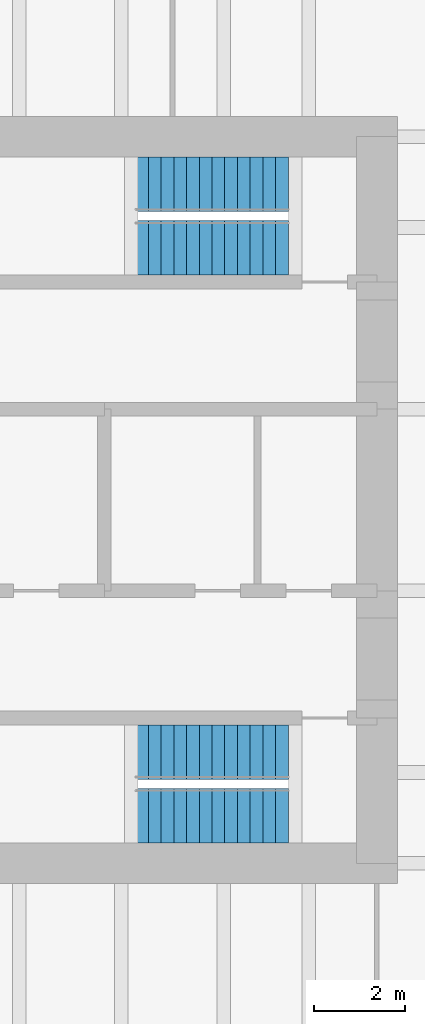
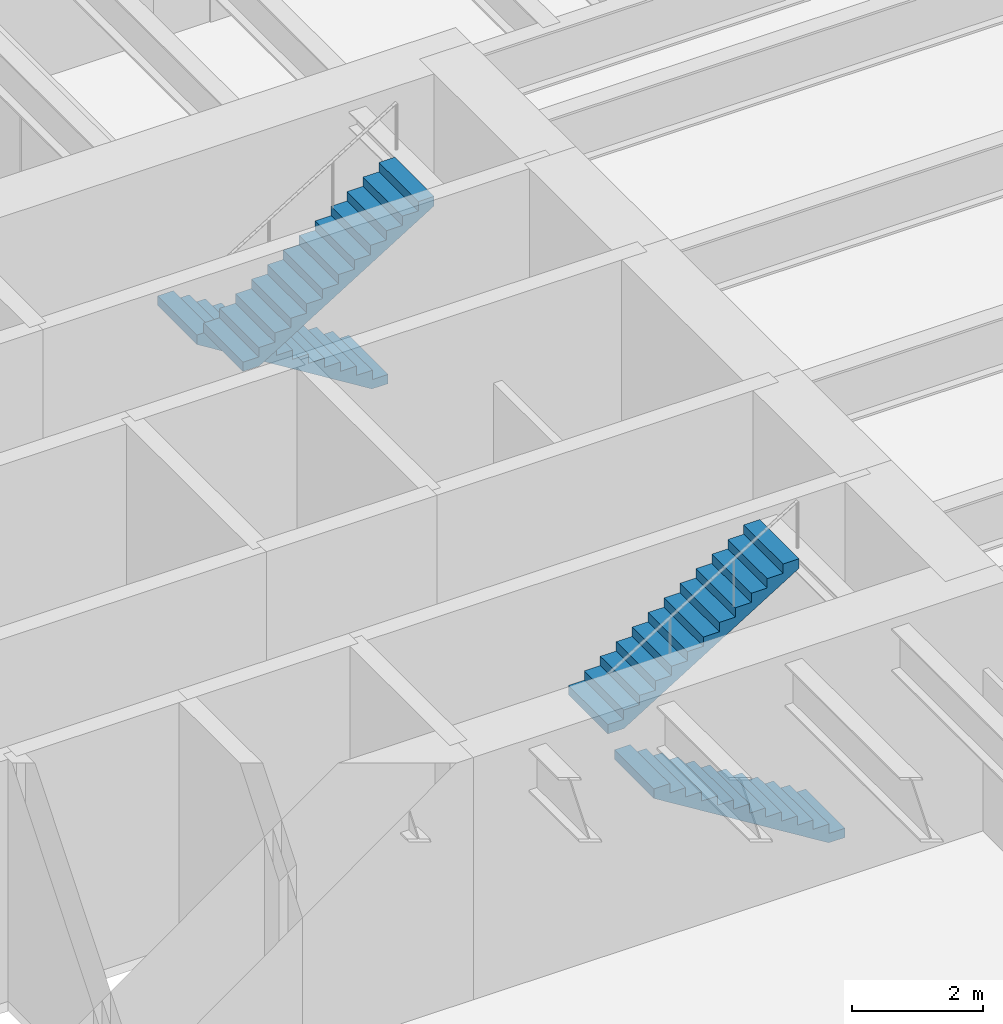
# One storey, part 14 of 15: 4 stair flights, 2 elements without a shape of their own.
"""IFC4 building model written with IfcOpenShell, lengths in metres."""

from ifc_helpers import new_model, si_unit, direction, frame, origin, place, context, subcontext, project, spatial, polyline, outline, extrude, material, type_object, element, aggregate, save


model = new_model("IFC4")

# Units and contexts
model_context = context("Model", 3, precision=1e-05, world=origin(), true_north=direction((0.0, 1.0)))
body_context = subcontext(model_context, "Body", "Model", "MODEL_VIEW")
ifc_project = project(units=[si_unit("LENGTHUNIT", "METRE"), si_unit("AREAUNIT", "SQUARE_METRE"), si_unit("VOLUMEUNIT", "CUBIC_METRE"), si_unit("PLANEANGLEUNIT", "RADIAN"), si_unit("MASSUNIT", "GRAM", prefix="KILO")], contexts=[model_context])

# Site, building, storey
site_placement = place(None, origin())
site = spatial("IfcSite", under=ifc_project, at=site_placement, CompositionType="ELEMENT")
building_placement = place(site_placement, origin())
building = spatial("IfcBuilding", under=site, at=building_placement, Name="Rheinbord Bourse Tower", CompositionType="ELEMENT")
storey_placement = place(building_placement, frame((0.0, 0.0, 23.0)))
storey = spatial("IfcBuildingStorey", under=building, at=storey_placement, Name="L04", CompositionType="ELEMENT", Elevation=23.0)

# Stair, stair flights
ifc_material_1 = material(Name="Concrete C30/37", Category="concrete")
stair_type = type_object("IfcStairType", Name="CORE STAIR HALF TURN 4500", PredefinedType="HALF_TURN_STAIR", material=ifc_material_1)
stair_1_placement = place(storey_placement, origin())
stair_1 = element("IfcStair", 1, at=stair_1_placement, inside=storey, type_object=stair_type, Name="Stair ST3 L04, type CS4", PredefinedType="HALF_TURN_STAIR")
ifc_material_2 = material(Name="Concrete C30/37", Category="concrete")
stair_flight_type = type_object("IfcStairFlightType", Name="CORE STAIR FLIGHT 1200, 13 RISERS", PredefinedType="STRAIGHT", material=ifc_material_2)
stair_flight_1_placement = place(storey_placement, frame((52.050048828125, 17.050048828125, 0.0), z_axis=(0.0, 0.0, 1.0), x_axis=(-1.0, 0.0, 0.0)))
stair_flight_1 = element("IfcStairFlight", 2, at=stair_flight_1_placement, type_object=stair_flight_type, Name="STAIR L04 ST3 F1", NumberOfRisers=13, NumberOfTreads=12, PredefinedType="STRAIGHT", RiserHeight=0.173076923, TreadLength=0.28, context=body_context, shape_type="SweptSolid", body=[
    extrude(outline(polyline([(0.0, 0.0), (0.0, 0.173095703125), (0.280029296875, 0.173095703125), (0.280029296875, 0.34619140625), (0.56005859375, 0.34619140625), (0.56005859375, 0.519287109375), (0.840087890625, 0.519287109375), (0.840087890625, 0.6923828125), (1.1201171875, 0.6923828125), (1.1201171875, 0.865478515625), (1.39990234375, 0.865478515625), (1.39990234375, 1.03857421875), (1.679931640625, 1.03857421875), (1.679931640625, 1.21142578125), (1.9599609375, 1.21142578125), (1.9599609375, 1.384521484375), (2.239990234375, 1.384521484375), (2.239990234375, 1.5576171875), (2.52001953125, 1.5576171875), (2.52001953125, 1.730712890625), (2.800048828125, 1.730712890625), (2.800048828125, 1.90380859375), (3.080078125, 1.90380859375), (3.080078125, 2.076904296875), (3.360107421875, 2.076904296875), (3.360107421875, 2.25), (3.360107421875, 1.900634765625), (0.28515625, 0.0), (0.0, 0.0)])), frame((0.0, 0.60009765625, 0.0), z_axis=(0.0, -1.0, 0.0), x_axis=(1.0, 0.0, 0.0)), (0.0, 0.0, 1.0), 1.199951171875),
])
stair_flight_2_placement = place(storey_placement, frame((48.68994140625, 18.449951171875, 2.25), z_axis=(0.0, 0.0, 1.0), x_axis=(1.0, 0.0, 0.0)))
stair_flight_2 = element("IfcStairFlight", 3, at=stair_flight_2_placement, type_object=stair_flight_type, Name="STAIR L04 ST3 F2", NumberOfRisers=13, NumberOfTreads=12, PredefinedType="STRAIGHT", RiserHeight=0.173076923, TreadLength=0.28, context=body_context, shape_type="SweptSolid", body=[
    extrude(outline(polyline([(0.0, 0.0), (0.0, 0.173095703125), (0.280029296875, 0.173095703125), (0.280029296875, 0.34619140625), (0.56005859375, 0.34619140625), (0.56005859375, 0.519287109375), (0.840087890625, 0.519287109375), (0.840087890625, 0.6923828125), (1.1201171875, 0.6923828125), (1.1201171875, 0.865478515625), (1.39990234375, 0.865478515625), (1.39990234375, 1.03857421875), (1.679931640625, 1.03857421875), (1.679931640625, 1.21142578125), (1.9599609375, 1.21142578125), (1.9599609375, 1.384521484375), (2.239990234375, 1.384521484375), (2.239990234375, 1.5576171875), (2.52001953125, 1.5576171875), (2.52001953125, 1.730712890625), (2.800048828125, 1.730712890625), (2.800048828125, 1.90380859375), (3.080078125, 1.90380859375), (3.080078125, 2.076904296875), (3.360107421875, 2.076904296875), (3.360107421875, 2.25), (3.360107421875, 1.900634765625), (0.28515625, 0.0), (0.0, 0.0)])), frame((0.0, 0.60009765625, 0.0), z_axis=(0.0, -1.0, 0.0), x_axis=(1.0, 0.0, 0.0)), (0.0, 0.0, 1.0), 1.199951171875),
])
aggregate(stair_1, [stair_flight_1, stair_flight_2])

stair_2_placement = place(storey_placement, origin())
stair_2 = element("IfcStair", 4, at=stair_2_placement, inside=storey, type_object=stair_type, Name="Stair ST4 L04, type CS4", PredefinedType="HALF_TURN_STAIR")
stair_flight_3_placement = place(storey_placement, frame((52.050048828125, 30.949951171875, 0.0), z_axis=(0.0, 0.0, 1.0), x_axis=(-1.0, 0.0, 0.0)))
stair_flight_3 = element("IfcStairFlight", 5, at=stair_flight_3_placement, type_object=stair_flight_type, Name="STAIR L04 ST4 F1", NumberOfRisers=13, NumberOfTreads=12, PredefinedType="STRAIGHT", RiserHeight=0.173076923, TreadLength=0.28, context=body_context, shape_type="SweptSolid", body=[
    extrude(outline(polyline([(0.0, 0.0), (0.0, 0.173095703125), (0.280029296875, 0.173095703125), (0.280029296875, 0.34619140625), (0.56005859375, 0.34619140625), (0.56005859375, 0.519287109375), (0.840087890625, 0.519287109375), (0.840087890625, 0.6923828125), (1.1201171875, 0.6923828125), (1.1201171875, 0.865478515625), (1.39990234375, 0.865478515625), (1.39990234375, 1.03857421875), (1.679931640625, 1.03857421875), (1.679931640625, 1.21142578125), (1.9599609375, 1.21142578125), (1.9599609375, 1.384521484375), (2.239990234375, 1.384521484375), (2.239990234375, 1.5576171875), (2.52001953125, 1.5576171875), (2.52001953125, 1.730712890625), (2.800048828125, 1.730712890625), (2.800048828125, 1.90380859375), (3.080078125, 1.90380859375), (3.080078125, 2.076904296875), (3.360107421875, 2.076904296875), (3.360107421875, 2.25), (3.360107421875, 1.900634765625), (0.28515625, 0.0), (0.0, 0.0)])), frame((0.0, 0.60009765625, 0.0), z_axis=(0.0, -1.0, 0.0), x_axis=(1.0, 0.0, 0.0)), (0.0, 0.0, 1.0), 1.199951171875),
])
stair_flight_4_placement = place(storey_placement, frame((48.68994140625, 29.550048828125, 2.25), z_axis=(0.0, 0.0, 1.0), x_axis=(1.0, 0.0, 0.0)))
stair_flight_4 = element("IfcStairFlight", 6, at=stair_flight_4_placement, type_object=stair_flight_type, Name="STAIR L04 ST4 F2", NumberOfRisers=13, NumberOfTreads=12, PredefinedType="STRAIGHT", RiserHeight=0.173076923, TreadLength=0.28, context=body_context, shape_type="SweptSolid", body=[
    extrude(outline(polyline([(0.0, 0.0), (0.0, 0.173095703125), (0.280029296875, 0.173095703125), (0.280029296875, 0.34619140625), (0.56005859375, 0.34619140625), (0.56005859375, 0.519287109375), (0.840087890625, 0.519287109375), (0.840087890625, 0.6923828125), (1.1201171875, 0.6923828125), (1.1201171875, 0.865478515625), (1.39990234375, 0.865478515625), (1.39990234375, 1.03857421875), (1.679931640625, 1.03857421875), (1.679931640625, 1.21142578125), (1.9599609375, 1.21142578125), (1.9599609375, 1.384521484375), (2.239990234375, 1.384521484375), (2.239990234375, 1.5576171875), (2.52001953125, 1.5576171875), (2.52001953125, 1.730712890625), (2.800048828125, 1.730712890625), (2.800048828125, 1.90380859375), (3.080078125, 1.90380859375), (3.080078125, 2.076904296875), (3.360107421875, 2.076904296875), (3.360107421875, 2.25), (3.360107421875, 1.900634765625), (0.28515625, 0.0), (0.0, 0.0)])), frame((0.0, 0.60009765625, 0.0), z_axis=(0.0, -1.0, 0.0), x_axis=(1.0, 0.0, 0.0)), (0.0, 0.0, 1.0), 1.199951171875),
])
aggregate(stair_2, [stair_flight_3, stair_flight_4])

save(model, "model.ifc")
